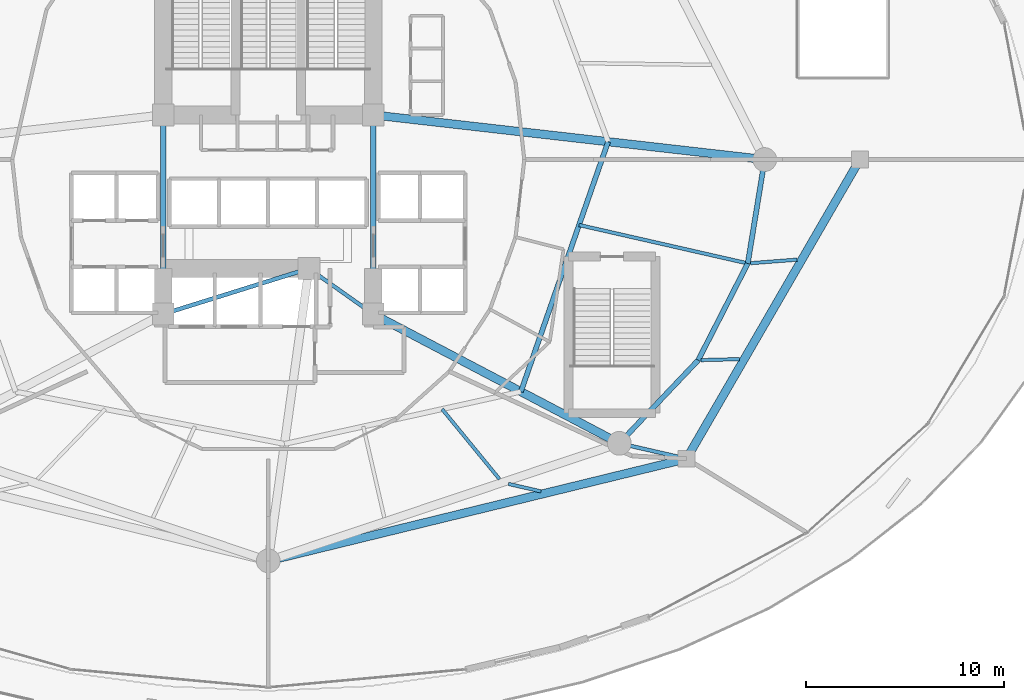
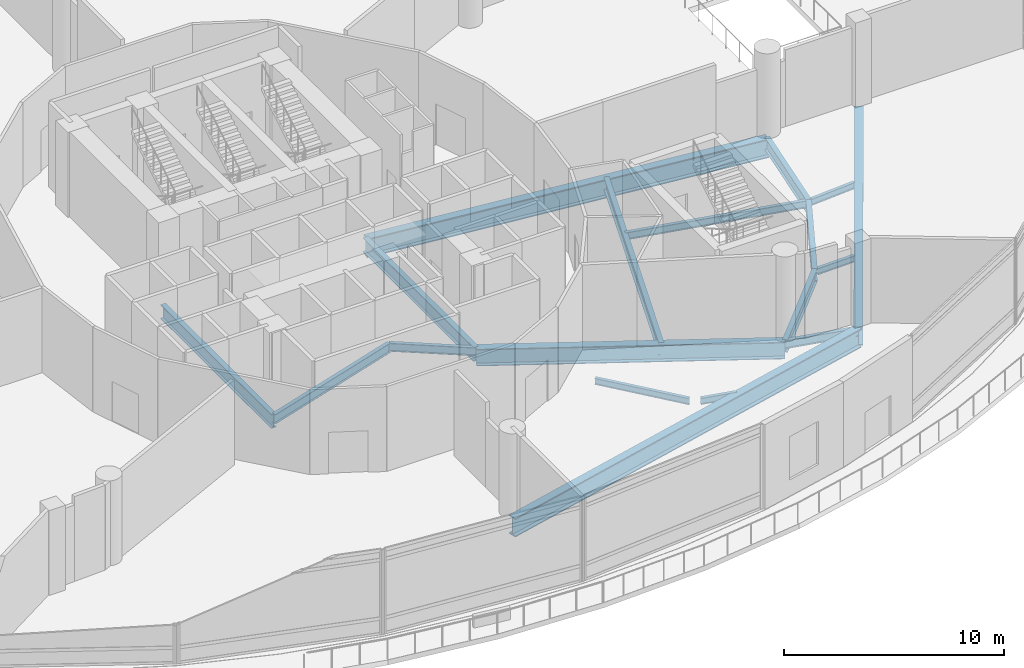
# One storey, part 12 of 37: 18 beams.
"""IFC4 building model written with IfcOpenShell, lengths in metres."""

from ifc_helpers import new_model, si_unit, direction, frame, origin, origin_2d, place, context, subcontext, project, spatial, i_section, extrude, material, material_profile, profile_set, type_object, element, save


model = new_model("IFC4")

# Units and contexts
model_context = context("Model", 3, precision=1e-05, world=origin(), true_north=direction((0.0, 1.0)))
body_context = subcontext(model_context, "Body", "Model", "MODEL_VIEW")
ifc_project = project(units=[si_unit("LENGTHUNIT", "METRE"), si_unit("AREAUNIT", "SQUARE_METRE"), si_unit("VOLUMEUNIT", "CUBIC_METRE"), si_unit("PLANEANGLEUNIT", "RADIAN"), si_unit("MASSUNIT", "GRAM", prefix="KILO")], contexts=[model_context])

# Site, building, storey
site_placement = place(None, origin())
site = spatial("IfcSite", under=ifc_project, at=site_placement, CompositionType="ELEMENT")
building_placement = place(site_placement, origin())
building = spatial("IfcBuilding", under=site, at=building_placement, Name="Nuhasar Tower", CompositionType="ELEMENT")
storey_placement = place(building_placement, frame((0.0, 0.0, 6.0)))
storey = spatial("IfcBuildingStorey", under=building, at=storey_placement, Name="L01", CompositionType="ELEMENT", Elevation=6.0)

# Beams
ifc_material_1 = material(Name="Steel S355", Category="steel")
ifc_material_profile_1 = material_profile(ifc_material_1, i_section(OverallWidth=0.25390625, OverallDepth=0.68408203125, WebThickness=0.012451171875, FlangeThickness=0.018798828125, at=origin_2d()), Name="W27X94")
ifc_profile_set_1 = profile_set([ifc_material_profile_1], Name="Steel S355")
beam_type_1 = type_object("IfcBeamType", Name="BM-INRING-W27X94", PredefinedType="BEAM", material=ifc_profile_set_1)
beam_1_placement = place(storey_placement, frame((51.748046875, 15.089111328125, -0.64208984375), z_axis=(0.329554049858, 0.944136710558, 0.0), x_axis=(-0.944136710558, 0.329554049858, 0.0)))
element("IfcBeam", 1, at=beam_1_placement, inside=storey, type_object=beam_type_1, Name="L01 Inner Header Beam 03", PredefinedType="BEAM", context=body_context, shape_type="SweptSolid", body=[
    extrude(i_section(OverallWidth=0.25390625, OverallDepth=0.68408203125, WebThickness=0.012451171875, FlangeThickness=0.018798828125, at=origin_2d()), origin(), (0.0, 0.0, 1.0), 13.35693359375),
])
ifc_material_profile_2 = material_profile(ifc_material_1, i_section(OverallWidth=0.1708984375, OverallDepth=0.35205078125, WebThickness=0.0068359375, FlangeThickness=0.009765625, at=origin_2d()), Name="W14X30")
ifc_profile_set_2 = profile_set([ifc_material_profile_2], Name="Steel S355")
beam_type_2 = type_object("IfcBeamType", Name="BM-JST-W14X30", PredefinedType="JOIST", material=ifc_profile_set_2)
beam_2_placement = place(storey_placement, frame((47.77197265625, 14.208984375, -0.47607421875), z_axis=(0.633863002168, -0.773445340333, 0.0), x_axis=(0.773445340333, 0.633863002168, 0.0)))
element("IfcBeam", 2, at=beam_2_placement, inside=storey, type_object=beam_type_2, Name="L01 Secondary Floor Joist 04", PredefinedType="JOIST", context=body_context, shape_type="SweptSolid", body=[
    extrude(i_section(OverallWidth=0.1708984375, OverallDepth=0.35205078125, WebThickness=0.0068359375, FlangeThickness=0.009765625, at=origin_2d()), origin(), (0.0, 0.0, 1.0), 4.5703125),
])
beam_3_placement = place(storey_placement, frame((51.117919921875, 10.43310546875, -0.47607421875), z_axis=(0.97467582406, -0.223622534626, 0.0), x_axis=(0.223622534626, 0.97467582406, 0.0)))
element("IfcBeam", 3, at=beam_3_placement, inside=storey, type_object=beam_type_2, Name="L01 Podium Secondary Joist 04", PredefinedType="JOIST", context=body_context, shape_type="SweptSolid", body=[
    extrude(i_section(OverallWidth=0.1708984375, OverallDepth=0.35205078125, WebThickness=0.0068359375, FlangeThickness=0.009765625, at=origin_2d()), origin(), (0.0, 0.0, 1.0), 1.686767578125),
])
beam_4_placement = place(storey_placement, frame((60.8349609375, 16.678955078125, -0.47607421875), z_axis=(0.999669118489, 0.025722626998, 0.0), x_axis=(-0.025722626998, 0.999669118489, 0.0)))
element("IfcBeam", 4, at=beam_4_placement, inside=storey, type_object=beam_type_2, Name="L01 Podium Secondary Joist 05", PredefinedType="JOIST", context=body_context, shape_type="SweptSolid", body=[
    extrude(i_section(OverallWidth=0.1708984375, OverallDepth=0.35205078125, WebThickness=0.0068359375, FlangeThickness=0.009765625, at=origin_2d()), origin(), (0.0, 0.0, 1.0), 1.94580078125),
])
beam_5_placement = place(storey_placement, frame((63.341064453125, 21.570068359375, -0.47607421875), z_axis=(0.997103115236, 0.076061669629, 0.0), x_axis=(-0.076061669629, 0.997103115236, 0.0)))
element("IfcBeam", 5, at=beam_5_placement, inside=storey, type_object=beam_type_2, Name="L01 Podium Secondary Joist 06", PredefinedType="JOIST", context=body_context, shape_type="SweptSolid", body=[
    extrude(i_section(OverallWidth=0.1708984375, OverallDepth=0.35205078125, WebThickness=0.0068359375, FlangeThickness=0.009765625, at=origin_2d()), origin(), (0.0, 0.0, 1.0), 2.352783203125),
])
ifc_material_profile_3 = material_profile(ifc_material_1, i_section(OverallWidth=0.177978515625, OverallDepth=0.406005859375, WebThickness=0.0078125, FlangeThickness=0.0126953125, at=origin_2d()), Name="W16X40")
ifc_profile_set_3 = profile_set([ifc_material_profile_3], Name="Steel S355")
beam_type_3 = type_object("IfcBeamType", Name="BM-JST-W16X40", PredefinedType="JOIST", material=ifc_profile_set_3)
beam_6_placement = place(storey_placement, frame((54.68310546875, 23.49609375, -0.5029296875), z_axis=(0.975061715499, -0.221933888733, 0.0), x_axis=(0.221933888733, 0.975061715499, 0.0)))
element("IfcBeam", 6, at=beam_6_placement, inside=storey, type_object=beam_type_3, Name="L01 Secondary Floor Joist 06", PredefinedType="JOIST", context=body_context, shape_type="SweptSolid", body=[
    extrude(i_section(OverallWidth=0.177978515625, OverallDepth=0.406005859375, WebThickness=0.0078125, FlangeThickness=0.0126953125, at=origin_2d()), origin(), (0.0, 0.0, 1.0), 8.6025390625),
])
ifc_material_profile_4 = material_profile(ifc_material_1, i_section(OverallWidth=0.419921875, OverallDepth=0.931884765625, WebThickness=0.021240234375, FlangeThickness=0.03662109375, at=origin_2d()), Name="W36X262")
ifc_profile_set_4 = profile_set([ifc_material_profile_4], Name="Steel S355")
beam_type_4 = type_object("IfcBeamType", Name="BM-POD-W36X262", PredefinedType="BEAM", material=ifc_profile_set_4)
beam_7_placement = place(storey_placement, frame((44.300048828125, 19.0, -0.76611328125), z_axis=(0.885330348705, -0.464962550816, 0.0), x_axis=(0.464962550816, 0.885330348705, 0.0)))
element("IfcBeam", 7, at=beam_7_placement, inside=storey, type_object=beam_type_4, Name="L01 Radial Floor Girder 03", PredefinedType="BEAM", context=body_context, shape_type="SweptSolid", body=[
    extrude(i_section(OverallWidth=0.419921875, OverallDepth=0.931884765625, WebThickness=0.021240234375, FlangeThickness=0.03662109375, at=origin_2d()), origin(), (0.0, 0.0, 1.0), 14.0205078125),
])
ifc_material_profile_5 = material_profile(ifc_material_1, i_section(OverallWidth=0.18994140625, OverallDepth=0.45703125, WebThickness=0.009033203125, FlangeThickness=0.014404296875, at=origin_2d()), Name="W18X50")
ifc_profile_set_5 = profile_set([ifc_material_profile_5], Name="Steel S355")
beam_type_5 = type_object("IfcBeamType", Name="BM-RAD-W18X50", PredefinedType="BEAM", material=ifc_profile_set_5)
beam_8_placement = place(storey_placement, frame((41.050048828125, 21.300048828125, -0.529052734375), z_axis=(0.816265428953, -0.577677028708, 0.0), x_axis=(0.577677028708, 0.816265428953, 0.0)))
element("IfcBeam", 8, at=beam_8_placement, inside=storey, type_object=beam_type_5, Name="L01 Core Ring Girder 2", PredefinedType="BEAM", context=body_context, shape_type="SweptSolid", body=[
    extrude(i_section(OverallWidth=0.18994140625, OverallDepth=0.45703125, WebThickness=0.009033203125, FlangeThickness=0.014404296875, at=origin_2d()), origin(), (0.0, 0.0, 1.0), 3.9814453125),
])
beam_9_placement = place(storey_placement, frame((56.712890625, 12.48095703125, -0.529052734375), z_axis=(0.974715141502, -0.223451097394, 0.0), x_axis=(0.223451097394, 0.974715141502, 0.0)))
element("IfcBeam", 9, at=beam_9_placement, inside=storey, type_object=beam_type_5, Name="L01 Podium Radial Girder 03", PredefinedType="BEAM", context=body_context, shape_type="SweptSolid", body=[
    extrude(i_section(OverallWidth=0.18994140625, OverallDepth=0.45703125, WebThickness=0.009033203125, FlangeThickness=0.014404296875, at=origin_2d()), origin(), (0.0, 0.0, 1.0), 3.482177734375),
])
ifc_material_profile_6 = material_profile(ifc_material_1, i_section(OverallWidth=0.208984375, OverallDepth=0.532958984375, WebThickness=0.01025390625, FlangeThickness=0.015625, at=origin_2d()), Name="W21X62")
ifc_profile_set_6 = profile_set([ifc_material_profile_6], Name="Steel S355")
beam_type_6 = type_object("IfcBeamType", Name="BM-RAD-W21X62", PredefinedType="BEAM", material=ifc_profile_set_6)
beam_10_placement = place(storey_placement, frame((33.699951171875, 19.0, -0.56591796875), z_axis=(0.954363709454, 0.298646798205, 0.0), x_axis=(-0.298646798205, 0.954363709454, 0.0)))
element("IfcBeam", 10, at=beam_10_placement, inside=storey, type_object=beam_type_6, Name="L01 Core Ring Girder 1", PredefinedType="BEAM", context=body_context, shape_type="SweptSolid", body=[
    extrude(i_section(OverallWidth=0.208984375, OverallDepth=0.532958984375, WebThickness=0.01025390625, FlangeThickness=0.015625, at=origin_2d()), origin(), (0.0, 0.0, 1.0), 7.70166015625),
])
ifc_material_profile_7 = material_profile(ifc_material_1, i_section(OverallWidth=0.26611328125, OverallDepth=0.779052734375, WebThickness=0.0166015625, FlangeThickness=0.030029296875, at=origin_2d()), Name="W30X148")
ifc_profile_set_7 = profile_set([ifc_material_profile_7], Name="Steel S355")
beam_type_7 = type_object("IfcBeamType", Name="BM-RAD-W30X148", PredefinedType="BEAM", material=ifc_profile_set_7)
for number, where, z_axis, x_axis, name in (
    (11, (44.300048828125, 19.0, -0.68896484375), (0.0, 1.0, 0.0), (-1.0, 0.0, 0.0), "L01 Core Ring Girder 3"),
    (12, (33.699951171875, 29.050048828125, -0.68896484375), (0.0, -1.0, 0.0), (1.0, 0.0, 0.0), "L01 Core Ring Girder 8"),
):
    element("IfcBeam", number, at=place(storey_placement, frame(where, z_axis=z_axis, x_axis=x_axis)), inside=storey, type_object=beam_type_7, Name=name, PredefinedType="BEAM", context=body_context, shape_type="SweptSolid", body=[
        extrude(i_section(OverallWidth=0.26611328125, OverallDepth=0.779052734375, WebThickness=0.0166015625, FlangeThickness=0.030029296875, at=origin_2d()), origin(), (0.0, 0.0, 1.0), 10.050048828125),
    ])
ifc_material_profile_8 = material_profile(ifc_material_1, i_section(OverallWidth=0.256103515625, OverallDepth=0.693115234375, WebThickness=0.014404296875, FlangeThickness=0.023681640625, at=origin_2d()), Name="W27X114")
ifc_profile_set_8 = profile_set([ifc_material_profile_8], Name="Steel S355")
beam_type_8 = type_object("IfcBeamType", Name="BM-RING-W27X114", PredefinedType="SPANDREL", material=ifc_profile_set_8)
beam_11_placement = place(storey_placement, frame((56.712890625, 12.48095703125, -0.64599609375), z_axis=(0.688459812429, 0.725274490569, 0.0), x_axis=(-0.725274490569, 0.688459812429, 0.0)))
element("IfcBeam", 13, at=beam_11_placement, inside=storey, type_object=beam_type_8, Name="L01 Mega-Column Perimeter Ring Spandrel 03-1", PredefinedType="SPANDREL", context=body_context, shape_type="SweptSolid", body=[
    extrude(i_section(OverallWidth=0.256103515625, OverallDepth=0.693115234375, WebThickness=0.014404296875, FlangeThickness=0.023681640625, at=origin_2d()), origin(), (0.0, 0.0, 1.0), 5.78271484375),
])
beam_12_placement = place(storey_placement, frame((60.694091796875, 16.675048828125, -0.64599609375), z_axis=(0.455930023905, 0.890015625314, 0.0), x_axis=(-0.890015625314, 0.455930023905, 0.0)))
element("IfcBeam", 14, at=beam_12_placement, inside=storey, type_object=beam_type_8, Name="L01 Mega-Column Perimeter Ring Spandrel 03-2", PredefinedType="SPANDREL", context=body_context, shape_type="SweptSolid", body=[
    extrude(i_section(OverallWidth=0.256103515625, OverallDepth=0.693115234375, WebThickness=0.014404296875, FlangeThickness=0.023681640625, at=origin_2d()), origin(), (0.0, 0.0, 1.0), 5.487548828125),
])
beam_13_placement = place(storey_placement, frame((63.196044921875, 21.55908203125, -0.64599609375), z_axis=(0.160826635486, 0.986982671235, 0.0), x_axis=(-0.986982671235, 0.160826635486, 0.0)))
element("IfcBeam", 15, at=beam_13_placement, inside=storey, type_object=beam_type_8, Name="L01 Mega-Column Perimeter Ring Spandrel 03-3", PredefinedType="SPANDREL", context=body_context, shape_type="SweptSolid", body=[
    extrude(i_section(OverallWidth=0.256103515625, OverallDepth=0.693115234375, WebThickness=0.014404296875, FlangeThickness=0.023681640625, at=origin_2d()), origin(), (0.0, 0.0, 1.0), 5.31005859375),
])
ifc_material_2 = material(Name="Steel S460", Category="steel")
ifc_material_profile_9 = material_profile(ifc_material_2, i_section(OverallWidth=0.419921875, OverallDepth=1.0400390625, WebThickness=0.031005859375, FlangeThickness=0.055908203125, at=origin_2d()), Name="W40X397")
ifc_profile_set_9 = profile_set([ifc_material_profile_9], Name="Steel S460")
beam_type_9 = type_object("IfcBeamType", Name="BM-XFER-W40X397", PredefinedType="USERDEFINED", material=ifc_profile_set_9)
beam_14_placement = place(storey_placement, frame((44.300048828125, 29.050048828125, -0.820068359375), z_axis=(0.993573147212, -0.113191877531, 0.0), x_axis=(0.113191877531, 0.993573147212, 0.0)))
element("IfcBeam", 16, at=beam_14_placement, inside=storey, type_object=beam_type_9, Name="L01 Radial Floor Girder 04", ObjectType="GIRDER", PredefinedType="USERDEFINED", context=body_context, shape_type="SweptSolid", body=[
    extrude(i_section(OverallWidth=0.419921875, OverallDepth=1.0400390625, WebThickness=0.031005859375, FlangeThickness=0.055908203125, at=origin_2d()), origin(), (0.0, 0.0, 1.0), 19.877685546875),
])
beam_15_placement = place(storey_placement, frame((39.0, 6.550048828125, -0.820068359375), z_axis=(0.971469463574, 0.237164671365, 0.0), x_axis=(-0.237164671365, 0.971469463574, 0.0)))
element("IfcBeam", 17, at=beam_15_placement, inside=storey, type_object=beam_type_9, Name="L01 Podium Ring Girder 02", ObjectType="GIRDER", PredefinedType="USERDEFINED", context=body_context, shape_type="SweptSolid", body=[
    extrude(i_section(OverallWidth=0.419921875, OverallDepth=1.0400390625, WebThickness=0.031005859375, FlangeThickness=0.055908203125, at=origin_2d()), origin(), (0.0, 0.0, 1.0), 21.726806640625),
])
beam_16_placement = place(storey_placement, frame((60.10693359375, 11.702880859375, -0.820068359375), z_axis=(0.501152108266, 0.865359211184, 0.0), x_axis=(-0.865359211184, 0.501152108266, 0.0)))
element("IfcBeam", 18, at=beam_16_placement, inside=storey, type_object=beam_type_9, Name="L01 Podium Ring Girder 03", ObjectType="GIRDER", PredefinedType="USERDEFINED", context=body_context, shape_type="SweptSolid", body=[
    extrude(i_section(OverallWidth=0.419921875, OverallDepth=1.0400390625, WebThickness=0.031005859375, FlangeThickness=0.055908203125, at=origin_2d()), origin(), (0.0, 0.0, 1.0), 17.446044921875),
])

save(model, "model.ifc")
